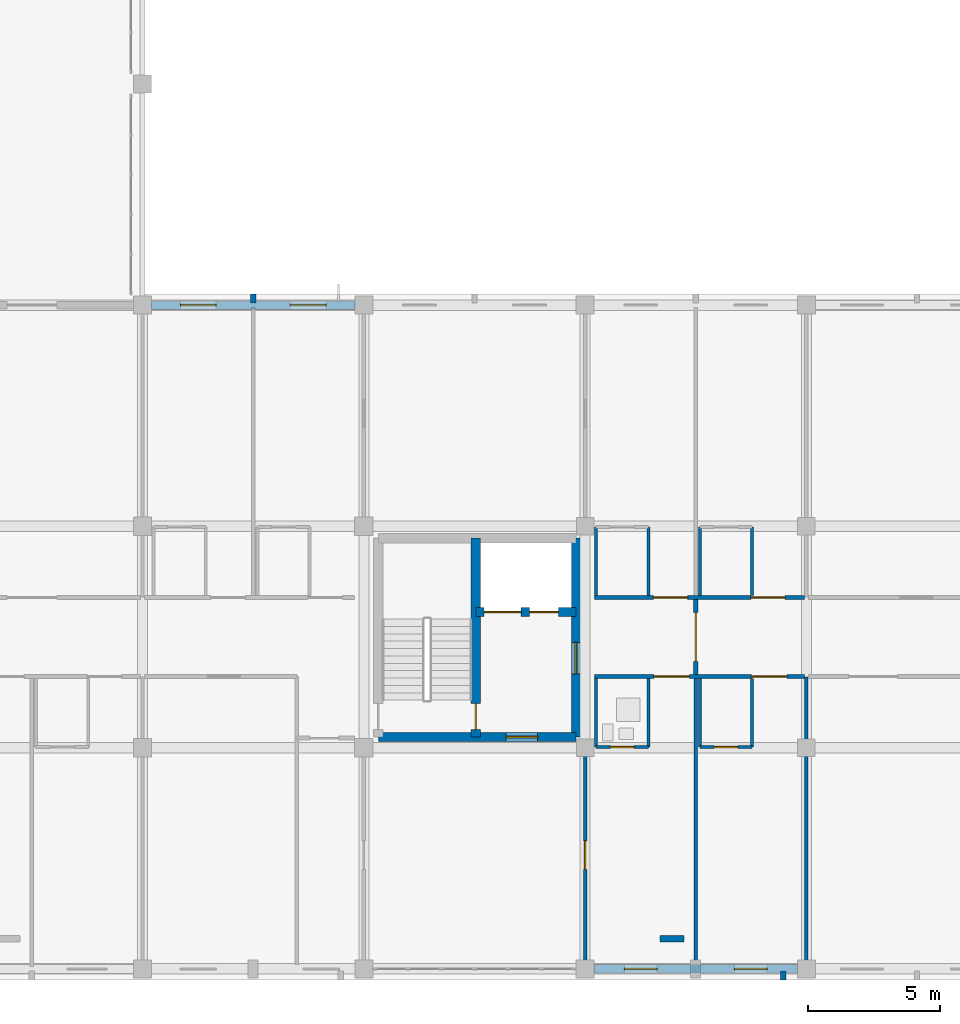
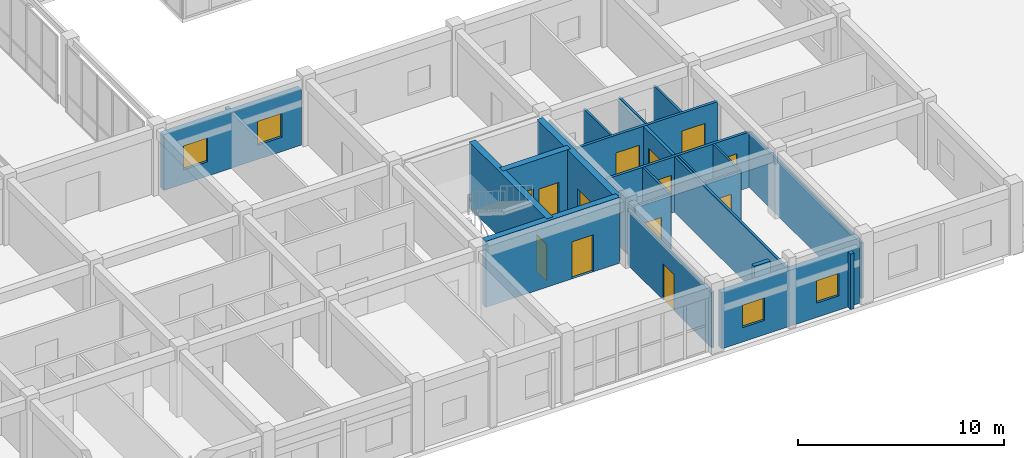
# One storey, part 112 of 140: 25 walls, 13 doors, 4 windows, 17 openings.
"""IFC4 building model written with IfcOpenShell, lengths in metres."""

import ifcopenshell
import ifcopenshell.guid

model = None  # the IFC model being written
_history = None  # IfcOwnerHistory: only IFC2X3 demands one
_inside = {}  # id of a spatial element -> (the spatial element, [elements in it])
_under = {}  # id of a project, library or spatial element -> (it, [spatial elements below it])
_declared = {}  # id of a project -> (the project, [libraries it declares])
_typed = {}  # id of a type object -> (the type object, [elements of that type])
_made_of = {}  # id of a material, layer set ... -> (it, [elements and type objects made of it])


def new_model(schema):
    """Start an empty IFC model of exactly this schema.

    Asked for "IFC4X3", IfcOpenShell would pick the latest addendum, in which some entities
    have other attributes; the version numbers below select the first issue.
    IFC2X3 requires an IfcOwnerHistory on every rooted entity: one is made here for all.
    """
    global model, _history
    if schema == "IFC4X3":
        model = ifcopenshell.file(schema_version=(4, 3, 0, 0))
    else:
        model = ifcopenshell.file(schema=schema)
    _inside.clear()
    _under.clear()
    _declared.clear()
    _typed.clear()
    _made_of.clear()
    _history = None
    if model.schema == "IFC2X3":
        org = make("IfcOrganization", Name="unknown")
        user = make(
            "IfcPersonAndOrganization",
            ThePerson=make("IfcPerson", FamilyName="unknown"),
            TheOrganization=org,
        )
        app = make(
            "IfcApplication",
            ApplicationDeveloper=org,
            Version="unknown",
            ApplicationFullName="unknown",
            ApplicationIdentifier="unknown",
        )
        _history = make(
            "IfcOwnerHistory",
            OwningUser=user,
            OwningApplication=app,
            ChangeAction="ADDED",
            CreationDate=0,
        )
    return model


def make(cls, **values):
    """One entity of the class cls with the attributes given. An attribute that is None is left unset."""
    return model.create_entity(
        cls, **{name: value for name, value in values.items() if value is not None}
    )


def rooted(cls, **values):
    """An entity with a GlobalId (a new one), such as an element, a storey or a relation."""
    return make(cls, GlobalId=ifcopenshell.guid.new(), OwnerHistory=_history, **values)


def si_unit(unit_type, name, prefix=None):
    """IfcSIUnit, for example si_unit("LENGTHUNIT", "METRE", prefix="MILLI")."""
    return make("IfcSIUnit", UnitType=unit_type, Prefix=prefix, Name=name)


def assignment(units):
    """IfcUnitAssignment: the units of a project."""
    return None if units is None else make("IfcUnitAssignment", Units=units)


def point(xyz):
    """IfcCartesianPoint."""
    return None if xyz is None else make("IfcCartesianPoint", Coordinates=xyz)


def direction(xyz):
    """IfcDirection."""
    return None if xyz is None else make("IfcDirection", DirectionRatios=xyz)


def frame(location, z_axis=None, x_axis=None):
    """IfcAxis2Placement3D, a coordinate frame: its origin and axes. An axis left out is left unset."""
    return make(
        "IfcAxis2Placement3D",
        Location=point(location),
        Axis=direction(z_axis),
        RefDirection=direction(x_axis),
    )


def frame_2d(location, x_axis=None):
    """IfcAxis2Placement2D, a coordinate frame in the plane: its origin and x axis."""
    return make(
        "IfcAxis2Placement2D", Location=point(location), RefDirection=direction(x_axis)
    )


def origin():
    """The frame at (0, 0, 0) with its axes left unset."""
    return frame((0.0, 0.0, 0.0))


def place(relative_to, where):
    """IfcLocalPlacement: puts the frame where relative to a parent placement (None: the world)."""
    return make(
        "IfcLocalPlacement", PlacementRelTo=relative_to, RelativePlacement=where
    )


def context(
    kind, dimensions, precision=None, world=None, true_north=None, identifier=None
):
    """IfcGeometricRepresentationContext, for example the 3D "Model" context."""
    return make(
        "IfcGeometricRepresentationContext",
        ContextIdentifier=identifier,
        ContextType=kind,
        CoordinateSpaceDimension=dimensions,
        Precision=precision,
        WorldCoordinateSystem=world,
        TrueNorth=true_north,
    )


def subcontext(parent, identifier, kind, view, scale=None):
    """IfcGeometricRepresentationSubContext, for example "Body" below "Model"."""
    return make(
        "IfcGeometricRepresentationSubContext",
        ContextIdentifier=identifier,
        ContextType=kind,
        ParentContext=parent,
        TargetScale=scale,
        TargetView=view,
    )


def project(units=None, contexts=None):
    """IfcProject with its units and contexts."""
    return rooted(
        "IfcProject",
        Name="project",
        RepresentationContexts=contexts,
        UnitsInContext=assignment(units),
    )


def spatial(cls, under=None, at=None, **own):
    """A site, building, storey or space (cls), placed at a placement, below another one or the project."""
    s = rooted(cls, ObjectPlacement=at, **own)
    if under is not None:
        _under.setdefault(under.id(), (under, []))[1].append(s)
    return s


def profile(cls, at=None, kind="AREA", **sizes):
    """A parametric profile (cls). Its sizes go by their IFC names, for example OverallWidth=200.0."""
    return make(cls, ProfileType=kind, Position=at, **sizes)


def rectangle(**sizes):
    """IfcRectangleProfileDef."""
    return profile("IfcRectangleProfileDef", **sizes)


def extrude(swept, where, along, depth):
    """IfcExtrudedAreaSolid: the profile swept, set in the frame where, extruded along a direction by depth."""
    return make(
        "IfcExtrudedAreaSolid",
        SweptArea=swept,
        Position=where,
        ExtrudedDirection=direction(along),
        Depth=depth,
    )


def shape(context_of_items, identifier, shape_type, items):
    """IfcShapeRepresentation: the items that make up one representation, for example the "Body"."""
    return make(
        "IfcShapeRepresentation",
        ContextOfItems=context_of_items,
        RepresentationIdentifier=identifier,
        RepresentationType=shape_type,
        Items=items,
    )


def material(Name=None, Category=None):
    """IfcMaterial."""
    return make("IfcMaterial", Name=Name, Category=Category)


def layer(
    of_material, thickness, ventilated=None, Name=None, Category=None, Priority=None
):
    """IfcMaterialLayer: one layer of a wall or slab, of a material (None: an air gap)."""
    return make(
        "IfcMaterialLayer",
        Material=of_material,
        LayerThickness=thickness,
        IsVentilated=ventilated,
        Name=Name,
        Category=Category,
        Priority=Priority,
    )


def layer_set(layers, Name=None):
    """IfcMaterialLayerSet."""
    return make("IfcMaterialLayerSet", MaterialLayers=layers, LayerSetName=Name)


def made_of(thing, what):
    """Note that an element or type object is made of a material, layer set ...; save() writes the relation."""
    if what is not None:
        _made_of.setdefault(what.id(), (what, []))[1].append(thing)
    return thing


def type_object(cls, material=None, **own):
    """A type object (cls), such as IfcWallType, which elements share."""
    return made_of(rooted(cls, **own), material)


def element(
    cls,
    number,
    at=None,
    inside=None,
    cuts=None,
    type_object=None,
    material=None,
    context=None,
    identifier="Body",
    shape_type=None,
    held_by="IfcProductDefinitionShape",
    body=None,
    shapes=None,
    **own,
):
    """One element of the class cls, such as IfcWall. Its Tag is "e" and its number.

    at: its placement. inside: the storey or other place that contains it. cuts: it is an
    opening in that element (IfcRelVoidsElement). A single representation is given by context,
    identifier, shape_type and body (its items); several are given by shapes. held_by: the class
    of the entity that holds the representations. save() writes the other relations.
    """
    e = rooted(cls, Tag="e%d" % number, ObjectPlacement=at, **own)
    if body is not None:
        shapes = [shape(context, identifier, shape_type, body)]
    if shapes is not None:
        e.Representation = make(held_by, Representations=shapes)
    if inside is not None:
        _inside.setdefault(inside.id(), (inside, []))[1].append(e)
    if cuts is not None:
        rooted(
            "IfcRelVoidsElement", RelatingBuildingElement=cuts, RelatedOpeningElement=e
        )
    if type_object is not None:
        _typed.setdefault(type_object.id(), (type_object, []))[1].append(e)
    return made_of(e, material)


def fill(opening, filler):
    """IfcRelFillsElement: the door or window that sits in an opening."""
    return rooted(
        "IfcRelFillsElement",
        RelatingOpeningElement=opening,
        RelatedBuildingElement=filler,
    )


def aggregate(whole, parts):
    """IfcRelAggregates: a whole, such as a stair, and the parts it consists of."""
    return rooted("IfcRelAggregates", RelatingObject=whole, RelatedObjects=parts)


def save(model, path):
    """Write the relations noted so far, then the file.

    IfcRelAggregates (storeys below a building ...), IfcRelContainedInSpatialStructure (elements
    in a storey), IfcRelDefinesByType, IfcRelAssociatesMaterial and IfcRelDeclares: one each for
    every whole, place, type object, material and project.
    """
    for whole, parts in _under.values():
        aggregate(whole, parts)
    for where, things in _inside.values():
        rooted(
            "IfcRelContainedInSpatialStructure",
            RelatedElements=things,
            RelatingStructure=where,
        )
    for kind, things in _typed.values():
        rooted("IfcRelDefinesByType", RelatedObjects=things, RelatingType=kind)
    for what, things in _made_of.values():
        rooted("IfcRelAssociatesMaterial", RelatedObjects=things, RelatingMaterial=what)
    for by, libraries in _declared.values():
        rooted("IfcRelDeclares", RelatingContext=by, RelatedDefinitions=libraries)
    model.write(path)


model = new_model("IFC4")

# Units and contexts
model_context = context("Model", 3, precision=1e-05, world=origin(), true_north=direction((0.0, 1.0)))
body_context = subcontext(model_context, "Body", "Model", "MODEL_VIEW")
ifc_project = project(units=[si_unit("LENGTHUNIT", "METRE"), si_unit("AREAUNIT", "SQUARE_METRE"), si_unit("VOLUMEUNIT", "CUBIC_METRE"), si_unit("PLANEANGLEUNIT", "RADIAN"), si_unit("MASSUNIT", "GRAM", prefix="KILO")], contexts=[model_context])

# Site, building, storey
site_placement = place(None, origin())
site = spatial("IfcSite", under=ifc_project, at=site_placement, CompositionType="ELEMENT")
building_placement = place(site_placement, origin())
building = spatial("IfcBuilding", under=site, at=building_placement, Name="Trelvath General Hospital", CompositionType="ELEMENT")
storey_placement = place(building_placement, frame((0.0, 0.0, 16.199951171875)))
storey = spatial("IfcBuildingStorey", under=building, at=storey_placement, Name="L04", CompositionType="ELEMENT", Elevation=16.199951171875)

# Walls
ifc_material_1 = material(Name="Precast concrete C40/50", Category="concrete")
ifc_layer_1 = layer(ifc_material_1, 0.199951171875)
ifc_layer_set_1 = layer_set([ifc_layer_1], Name="Precast concrete C40/50")
wall_type_1 = type_object("IfcWallType", Name="BriseSoleilRib 200", PredefinedType="ELEMENTEDWALL", material=ifc_layer_set_1)
for number, where, z_axis, x_axis, name in (
    (1, (88.199951171875, 25.27490234375, 0.0), (0.0, 0.0, 1.0), (0.0, 1.0, 0.0), "Precast Concrete Brise-Soleil Rib Fin L04-337"),
    (2, (108.323974609375, -0.074951171875, 0.0), (0.0, 0.0, 1.0), (0.0, -1.0, 0.0), "Precast Concrete Brise-Soleil Rib Fin L04-342"),
):
    element("IfcWall", number, at=place(storey_placement, frame(where, z_axis=z_axis, x_axis=x_axis)), inside=storey, type_object=wall_type_1, Name=name, PredefinedType="ELEMENTEDWALL", context=body_context, shape_type="SweptSolid", body=[
        extrude(rectangle(XDim=0.340087890625, YDim=0.199951171875, at=frame_2d((0.169921875, 0.0))), origin(), (0.0, 0.0, 1.0), 3.300048828125),
    ])

# Wall, openings, doors
ifc_material_2 = material(Name="Gypsum acoustic steel-stud partition", Category="steel")
ifc_layer_2 = layer(ifc_material_2, 0.14990234375)
ifc_layer_set_2 = layer_set([ifc_layer_2], Name="Gypsum acoustic steel-stud partition")
wall_type_2 = type_object("IfcWallType", Name="ClinicalPartition 150", PredefinedType="PARTITIONING", material=ifc_layer_set_2)
wall_1_placement = place(storey_placement, frame((101.159912109375, 11.10009765625, 0.0), z_axis=(0.0, 0.0, 1.0), x_axis=(1.0, 0.0, 0.0)))
wall_1 = element("IfcWall", 3, at=wall_1_placement, inside=storey, type_object=wall_type_2, Name="Corridor Partition L04-1523", PredefinedType="PARTITIONING", context=body_context, shape_type="SweptSolid", body=[
    extrude(rectangle(XDim=7.960205078125, YDim=0.14990234375, at=frame_2d((3.97998046875, 0.0))), origin(), (0.0, 0.0, 1.0), 3.300048828125),
])
opening_1_placement = place(wall_1_placement, frame((2.25, 0.0, 0.0)))
opening_1 = element("IfcOpeningElement", 4, at=opening_1_placement, cuts=wall_1, Name="Opening D-4-1051", PredefinedType="OPENING", context=body_context, shape_type="SweptSolid", body=[
    extrude(rectangle(XDim=1.35009765625, YDim=2.25, at=frame_2d((0.675048828125, 1.125))), frame((0.0, 0.0849609375, 0.0), z_axis=(0.0, -1.0, 0.0), x_axis=(1.0, 0.0, 0.0)), (0.0, 0.0, 1.0), 0.169921875),
])
opening_2_placement = place(wall_1_placement, frame((5.949951171875, 0.0, 0.0)))
opening_2 = element("IfcOpeningElement", 5, at=opening_2_placement, cuts=wall_1, Name="Opening D-4-1052", PredefinedType="OPENING", context=body_context, shape_type="SweptSolid", body=[
    extrude(rectangle(XDim=1.35009765625, YDim=2.25, at=frame_2d((0.675048828125, 1.125))), frame((0.0, 0.0849609375, 0.0), z_axis=(0.0, -1.0, 0.0), x_axis=(1.0, 0.0, 0.0)), (0.0, 0.0, 1.0), 0.169921875),
])
ifc_material_3 = material(Name="Airtight isolation bed door")
door_type_1 = type_object("IfcDoorType", Name="Door PatientIso 1350x2250", OperationType="NOTDEFINED", PredefinedType="DOOR", material=ifc_material_3)
door_1_placement = place(opening_1_placement, origin())
door_1 = element("IfcDoor", 6, at=door_1_placement, inside=storey, type_object=door_type_1, Name="Patient Room Door L04-1051", OperationType="SINGLE_SWING_RIGHT", OverallHeight=2.25, OverallWidth=1.35009765625, PredefinedType="DOOR", context=body_context, shape_type="SweptSolid", body=[
    extrude(rectangle(XDim=1.35009765625, YDim=2.25, at=frame_2d((0.675048828125, 1.125))), frame((0.0, 0.02490234375, 0.0), z_axis=(0.0, -1.0, 0.0), x_axis=(1.0, 0.0, 0.0)), (0.0, 0.0, 1.0), 0.050048828125),
])
fill(opening_1, door_1)
door_2_placement = place(opening_2_placement, origin())
door_2 = element("IfcDoor", 7, at=door_2_placement, inside=storey, type_object=door_type_1, Name="Patient Room Door L04-1052", OperationType="SINGLE_SWING_LEFT", OverallHeight=2.25, OverallWidth=1.35009765625, PredefinedType="DOOR", context=body_context, shape_type="SweptSolid", body=[
    extrude(rectangle(XDim=1.35009765625, YDim=2.25, at=frame_2d((0.675048828125, 1.125))), frame((0.0, 0.02490234375, 0.0), z_axis=(0.0, -1.0, 0.0), x_axis=(1.0, 0.0, 0.0)), (0.0, 0.0, 1.0), 0.050048828125),
])
fill(opening_2, door_2)

wall_2_placement = place(storey_placement, frame((109.1201171875, 14.10009765625, 0.0), z_axis=(0.0, 0.0, 1.0), x_axis=(-1.0, 0.0, 0.0)))
wall_2 = element("IfcWall", 8, at=wall_2_placement, inside=storey, type_object=wall_type_2, Name="Corridor Partition N L04-1532", PredefinedType="PARTITIONING", context=body_context, shape_type="SweptSolid", body=[
    extrude(rectangle(XDim=7.960205078125, YDim=0.14990234375, at=frame_2d((3.97998046875, 0.0))), origin(), (0.0, 0.0, 1.0), 3.300048828125),
])
opening_3_placement = place(wall_2_placement, frame((0.72998046875, 0.0, 0.0)))
opening_3 = element("IfcOpeningElement", 9, at=opening_3_placement, cuts=wall_2, Name="Opening D-4-1055", PredefinedType="OPENING", context=body_context, shape_type="SweptSolid", body=[
    extrude(rectangle(XDim=1.300048828125, YDim=2.25, at=frame_2d((0.64990234375, 1.125))), frame((0.0, 0.0849609375, 0.0), z_axis=(0.0, -1.0, 0.0), x_axis=(1.0, 0.0, 0.0)), (0.0, 0.0, 1.0), 0.169921875),
])
opening_4_placement = place(wall_2_placement, frame((4.429931640625, 0.0, 0.0)))
opening_4 = element("IfcOpeningElement", 10, at=opening_4_placement, cuts=wall_2, Name="Opening D-4-1056", PredefinedType="OPENING", context=body_context, shape_type="SweptSolid", body=[
    extrude(rectangle(XDim=1.300048828125, YDim=2.25, at=frame_2d((0.64990234375, 1.125))), frame((0.0, 0.0849609375, 0.0), z_axis=(0.0, -1.0, 0.0), x_axis=(1.0, 0.0, 0.0)), (0.0, 0.0, 1.0), 0.169921875),
])
ifc_material_4 = material(Name="Hospital bed-leaf timber door", Category="wood")
door_type_2 = type_object("IfcDoorType", Name="Door PatientBed 1300x2250", OperationType="NOTDEFINED", PredefinedType="DOOR", material=ifc_material_4)
door_3_placement = place(opening_3_placement, origin())
door_3 = element("IfcDoor", 11, at=door_3_placement, inside=storey, type_object=door_type_2, Name="Patient Room Door N L04-1055", OperationType="SINGLE_SWING_RIGHT", OverallHeight=2.25, OverallWidth=1.300048828125, PredefinedType="DOOR", context=body_context, shape_type="SweptSolid", body=[
    extrude(rectangle(XDim=1.300048828125, YDim=2.25, at=frame_2d((0.64990234375, 1.125))), frame((0.0, 0.02490234375, 0.0), z_axis=(0.0, -1.0, 0.0), x_axis=(1.0, 0.0, 0.0)), (0.0, 0.0, 1.0), 0.050048828125),
])
fill(opening_3, door_3)
door_4_placement = place(opening_4_placement, origin())
door_4 = element("IfcDoor", 12, at=door_4_placement, inside=storey, type_object=door_type_2, Name="Patient Room Door N L04-1056", OperationType="SINGLE_SWING_RIGHT", OverallHeight=2.25, OverallWidth=1.300048828125, PredefinedType="DOOR", context=body_context, shape_type="SweptSolid", body=[
    extrude(rectangle(XDim=1.300048828125, YDim=2.25, at=frame_2d((0.64990234375, 1.125))), frame((0.0, 0.02490234375, 0.0), z_axis=(0.0, -1.0, 0.0), x_axis=(1.0, 0.0, 0.0)), (0.0, 0.0, 1.0), 0.050048828125),
])
fill(opening_4, door_4)

# Wall, opening, door
ifc_material_5 = material(Name="Concrete C40/50", Category="concrete")
ifc_layer_3 = layer(ifc_material_5, 0.35009765625)
ifc_layer_set_3 = layer_set([ifc_layer_3], Name="Concrete C40/50")
wall_type_3 = type_object("IfcWallType", Name="CoreShearWall 350", PredefinedType="SHEAR", material=ifc_layer_set_3)
wall_3_placement = place(storey_placement, frame((92.949951171875, 8.800048828125, 0.0), z_axis=(0.0, 0.0, 1.0), x_axis=(1.0, 0.0, 0.0)))
wall_3 = element("IfcWall", 13, at=wall_3_placement, inside=storey, type_object=wall_type_3, Name="Core Shear Wall C5 S L04", PredefinedType="SHEAR", context=body_context, shape_type="SweptSolid", body=[
    extrude(rectangle(XDim=7.5, YDim=0.35009765625, at=frame_2d((3.75, 0.0))), origin(), (0.0, 0.0, 1.0), 3.920166015625),
])
opening_5_placement = place(wall_3_placement, frame((4.85009765625, 0.0, 0.0)))
opening_5 = element("IfcOpeningElement", 14, at=opening_5_placement, cuts=wall_3, Name="Opening FD-LS54", PredefinedType="OPENING", context=body_context, shape_type="SweptSolid", body=[
    extrude(rectangle(XDim=1.199951171875, YDim=2.199951171875, at=frame_2d((0.60009765625, 1.10009765625))), frame((0.0, 0.18505859375, 0.0), z_axis=(0.0, -1.0, 0.0), x_axis=(1.0, 0.0, 0.0)), (0.0, 0.0, 1.0), 0.3701171875),
])
ifc_material_6 = material(Name="Fire-rated steel door", Category="steel")
door_type_3 = type_object("IfcDoorType", Name="Door FireLobby 1200x2200", OperationType="NOTDEFINED", PredefinedType="DOOR", material=ifc_material_6)
door_5_placement = place(opening_5_placement, origin())
door_5 = element("IfcDoor", 15, at=door_5_placement, inside=storey, type_object=door_type_3, Name="Fire Lobby South Door C5 L04", OperationType="SINGLE_SWING_LEFT", OverallHeight=2.199951171875, OverallWidth=1.199951171875, PredefinedType="DOOR", context=body_context, shape_type="SweptSolid", body=[
    extrude(rectangle(XDim=1.199951171875, YDim=2.199951171875, at=frame_2d((0.60009765625, 1.10009765625))), frame((0.0, 0.02490234375, 0.0), z_axis=(0.0, -1.0, 0.0), x_axis=(1.0, 0.0, 0.0)), (0.0, 0.0, 1.0), 0.050048828125),
])
fill(opening_5, door_5)

wall_4_placement = place(storey_placement, frame((100.449951171875, 8.800048828125, 0.0), z_axis=(0.0, 0.0, 1.0), x_axis=(0.0, 1.0, 0.0)))
wall_4 = element("IfcWall", 16, at=wall_4_placement, inside=storey, type_object=wall_type_3, Name="Core Shear Wall C5 E L04", PredefinedType="SHEAR", context=body_context, shape_type="SweptSolid", body=[
    extrude(rectangle(XDim=7.550048828125, YDim=0.35009765625, at=frame_2d((3.77490234375, 0.0))), origin(), (0.0, 0.0, 1.0), 3.920166015625),
])
opening_6_placement = place(wall_4_placement, frame((2.39990234375, 0.0, 0.0)))
opening_6 = element("IfcOpeningElement", 17, at=opening_6_placement, cuts=wall_4, Name="Opening FD-LE54", PredefinedType="OPENING", context=body_context, shape_type="SweptSolid", body=[
    extrude(rectangle(XDim=1.199951171875, YDim=2.199951171875, at=frame_2d((0.60009765625, 1.10009765625))), frame((0.0, 0.18505859375, 0.0), z_axis=(0.0, -1.0, 0.0), x_axis=(1.0, 0.0, 0.0)), (0.0, 0.0, 1.0), 0.3701171875),
])
door_6_placement = place(opening_6_placement, origin())
door_6 = element("IfcDoor", 18, at=door_6_placement, inside=storey, type_object=door_type_3, Name="Fire Lobby East Corridor Door C5 L04", OperationType="SINGLE_SWING_RIGHT", OverallHeight=2.199951171875, OverallWidth=1.199951171875, PredefinedType="DOOR", context=body_context, shape_type="SweptSolid", body=[
    extrude(rectangle(XDim=1.199951171875, YDim=2.199951171875, at=frame_2d((0.60009765625, 1.10009765625))), frame((0.0, 0.02490234375, 0.0), z_axis=(0.0, -1.0, 0.0), x_axis=(1.0, 0.0, 0.0)), (0.0, 0.0, 1.0), 0.050048828125),
])
fill(opening_6, door_6)

wall_5_placement = place(storey_placement, frame((96.64990234375, 8.800048828125, 0.0), z_axis=(0.0, 0.0, 1.0), x_axis=(0.0, 1.0, 0.0)))
wall_5 = element("IfcWall", 19, at=wall_5_placement, inside=storey, type_object=wall_type_3, Name="Core Shear Wall C5 SPINE L04", PredefinedType="SHEAR", context=body_context, shape_type="SweptSolid", body=[
    extrude(rectangle(XDim=7.550048828125, YDim=0.35009765625, at=frame_2d((3.77490234375, 0.0))), origin(), (0.0, 0.0, 1.0), 3.920166015625),
])
opening_7_placement = place(wall_5_placement, frame((0.280029296875, 0.0, 0.0)))
opening_7 = element("IfcOpeningElement", 20, at=opening_7_placement, cuts=wall_5, Name="Opening FD-S54", PredefinedType="OPENING", context=body_context, shape_type="SweptSolid", body=[
    extrude(rectangle(XDim=1.0, YDim=2.14990234375, at=frame_2d((0.5, 1.074951171875))), frame((0.0, 0.18505859375, 0.0), z_axis=(0.0, -1.0, 0.0), x_axis=(1.0, 0.0, 0.0)), (0.0, 0.0, 1.0), 0.3701171875),
])
ifc_material_7 = material(Name="Fire-rated steel door", Category="steel")
door_type_4 = type_object("IfcDoorType", Name="Door FireStair 1100x2150", OperationType="NOTDEFINED", PredefinedType="DOOR", material=ifc_material_7)
door_7_placement = place(opening_7_placement, origin())
door_7 = element("IfcDoor", 21, at=door_7_placement, inside=storey, type_object=door_type_4, Name="Exit Stair Door ST5 L04", OperationType="SINGLE_SWING_LEFT", OverallHeight=2.14990234375, OverallWidth=1.0, PredefinedType="DOOR", context=body_context, shape_type="SweptSolid", body=[
    extrude(rectangle(XDim=1.0, YDim=2.14990234375, at=frame_2d((0.5, 1.074951171875))), frame((0.0, 0.02490234375, 0.0), z_axis=(0.0, -1.0, 0.0), x_axis=(1.0, 0.0, 0.0)), (0.0, 0.0, 1.0), 0.050048828125),
])
fill(opening_7, door_7)

# Wall, openings, doors
wall_6_placement = place(storey_placement, frame((96.64990234375, 13.550048828125, 0.0), z_axis=(0.0, 0.0, 1.0), x_axis=(1.0, 0.0, 0.0)))
wall_6 = element("IfcWall", 22, at=wall_6_placement, inside=storey, type_object=wall_type_3, Name="Core Shear Wall C5 SHAFT L04", PredefinedType="SHEAR", context=body_context, shape_type="SweptSolid", body=[
    extrude(rectangle(XDim=3.800048828125, YDim=0.35009765625, at=frame_2d((1.89990234375, 0.0))), origin(), (0.0, 0.0, 1.0), 3.920166015625),
])
opening_8_placement = place(wall_6_placement, frame((0.320068359375, 0.0, 0.0)))
opening_8 = element("IfcOpeningElement", 23, at=opening_8_placement, cuts=wall_6, Name="Opening LD-BD4-4", PredefinedType="OPENING", context=body_context, shape_type="SweptSolid", body=[
    extrude(rectangle(XDim=1.39990234375, YDim=2.25, at=frame_2d((0.699951171875, 1.125))), frame((0.0, 0.18505859375, 0.0), z_axis=(0.0, -1.0, 0.0), x_axis=(1.0, 0.0, 0.0)), (0.0, 0.0, 1.0), 0.3701171875),
])
opening_9_placement = place(wall_6_placement, frame((2.0400390625, 0.0, 0.0)))
opening_9 = element("IfcOpeningElement", 24, at=opening_9_placement, cuts=wall_6, Name="Opening LD-PA2-4", PredefinedType="OPENING", context=body_context, shape_type="SweptSolid", body=[
    extrude(rectangle(XDim=1.10009765625, YDim=2.14990234375, at=frame_2d((0.550048828125, 1.074951171875))), frame((0.0, 0.18505859375, 0.0), z_axis=(0.0, -1.0, 0.0), x_axis=(1.0, 0.0, 0.0)), (0.0, 0.0, 1.0), 0.3701171875),
])
ifc_material_8 = material(Name="Stainless steel stretcher lift landing door", Category="steel")
door_type_5 = type_object("IfcDoorType", Name="Door LiftBed 1400x2250", OperationType="SLIDING_TO_LEFT", PredefinedType="DOOR", material=ifc_material_8)
door_8_placement = place(opening_8_placement, origin())
door_8 = element("IfcDoor", 25, at=door_8_placement, inside=storey, type_object=door_type_5, Name="Lift Landing Sliding Door LF-BD4 L04", OperationType="SLIDING_TO_LEFT", OverallHeight=2.25, OverallWidth=1.39990234375, PredefinedType="DOOR", context=body_context, shape_type="SweptSolid", body=[
    extrude(rectangle(XDim=1.39990234375, YDim=2.25, at=frame_2d((0.699951171875, 1.125))), frame((0.0, 0.02490234375, 0.0), z_axis=(0.0, -1.0, 0.0), x_axis=(1.0, 0.0, 0.0)), (0.0, 0.0, 1.0), 0.050048828125),
])
fill(opening_8, door_8)
ifc_material_9 = material(Name="Stainless steel lift landing sliding door", Category="steel")
door_type_6 = type_object("IfcDoorType", Name="Door LiftLanding 1100x2150", OperationType="SLIDING_TO_LEFT", PredefinedType="DOOR", material=ifc_material_9)
door_9_placement = place(opening_9_placement, origin())
door_9 = element("IfcDoor", 26, at=door_9_placement, inside=storey, type_object=door_type_6, Name="Lift Landing Sliding Door LF-PA2 L04", OperationType="SLIDING_TO_LEFT", OverallHeight=2.14990234375, OverallWidth=1.10009765625, PredefinedType="DOOR", context=body_context, shape_type="SweptSolid", body=[
    extrude(rectangle(XDim=1.10009765625, YDim=2.14990234375, at=frame_2d((0.550048828125, 1.074951171875))), frame((0.0, 0.02490234375, 0.0), z_axis=(0.0, -1.0, 0.0), x_axis=(1.0, 0.0, 0.0)), (0.0, 0.0, 1.0), 0.050048828125),
])
fill(opening_9, door_9)

# Walls
ifc_material_10 = material(Name="Moisture-resistant tile partition")
ifc_layer_4 = layer(ifc_material_10, 0.110107421875)
ifc_layer_set_4 = layer_set([ifc_layer_4], Name="Moisture-resistant tile partition")
wall_type_4 = type_object("IfcWallType", Name="EnSuiteWetWall 110", PredefinedType="PARTITIONING", material=ifc_layer_set_4)
for number, where, z_axis, x_axis, name in (
    (27, (101.219970703125, 8.419921875, 0.0), (0.0, 0.0, 1.0), (0.0, 1.0, 0.0), "En-Suite W Wall L04-1525"),
    (28, (103.199951171875, 8.419921875, 0.0), (0.0, 0.0, 1.0), (0.0, 1.0, 0.0), "En-Suite E Wall L04-1526"),
):
    element("IfcWall", number, at=place(storey_placement, frame(where, z_axis=z_axis, x_axis=x_axis)), inside=storey, type_object=wall_type_4, Name=name, PredefinedType="PARTITIONING", context=body_context, shape_type="SweptSolid", body=[
        extrude(rectangle(XDim=2.610107421875, YDim=0.110107421875, at=frame_2d((1.30517578125, 0.0))), origin(), (0.0, 0.0, 1.0), 3.300048828125),
    ])

# Wall, opening, door
wall_7_placement = place(storey_placement, frame((101.219970703125, 8.419921875, 0.0), z_axis=(0.0, 0.0, 1.0), x_axis=(1.0, 0.0, 0.0)))
wall_7 = element("IfcWall", 29, at=wall_7_placement, inside=storey, type_object=wall_type_4, Name="En-Suite Bathroom Partition L04-1527", PredefinedType="PARTITIONING", context=body_context, shape_type="SweptSolid", body=[
    extrude(rectangle(XDim=1.97998046875, YDim=0.110107421875, at=frame_2d((0.989990234375, 0.0))), origin(), (0.0, 0.0, 1.0), 3.300048828125),
])
opening_10_placement = place(wall_7_placement, frame((0.5400390625, 0.0, 0.0)))
opening_10 = element("IfcOpeningElement", 30, at=opening_10_placement, cuts=wall_7, Name="Opening D-4-1053", PredefinedType="OPENING", context=body_context, shape_type="SweptSolid", body=[
    extrude(rectangle(XDim=0.89990234375, YDim=2.10009765625, at=frame_2d((0.449951171875, 1.050048828125))), frame((0.0, 0.06494140625, 0.0), z_axis=(0.0, -1.0, 0.0), x_axis=(1.0, 0.0, 0.0)), (0.0, 0.0, 1.0), 0.130126953125),
])
ifc_material_11 = material(Name="Moisture-sealed timber leaf", Category="wood")
door_type_7 = type_object("IfcDoorType", Name="Door EnSuite 900x2100", OperationType="NOTDEFINED", PredefinedType="DOOR", material=ifc_material_11)
door_10_placement = place(opening_10_placement, origin())
door_10 = element("IfcDoor", 31, at=door_10_placement, inside=storey, type_object=door_type_7, Name="En-Suite Bathroom Door L04-1053", OperationType="SINGLE_SWING_RIGHT", OverallHeight=2.10009765625, OverallWidth=0.89990234375, PredefinedType="DOOR", context=body_context, shape_type="SweptSolid", body=[
    extrude(rectangle(XDim=0.89990234375, YDim=2.10009765625, at=frame_2d((0.449951171875, 1.050048828125))), frame((0.0, 0.02490234375, 0.0), z_axis=(0.0, -1.0, 0.0), x_axis=(1.0, 0.0, 0.0)), (0.0, 0.0, 1.0), 0.050048828125),
])
fill(opening_10, door_10)

# Walls
for number, where, z_axis, x_axis, name in (
    (32, (105.159912109375, 8.419921875, 0.0), (0.0, 0.0, 1.0), (0.0, 1.0, 0.0), "En-Suite W Wall L04-1528"),
    (33, (107.139892578125, 8.419921875, 0.0), (0.0, 0.0, 1.0), (0.0, 1.0, 0.0), "En-Suite E Wall L04-1529"),
):
    element("IfcWall", number, at=place(storey_placement, frame(where, z_axis=z_axis, x_axis=x_axis)), inside=storey, type_object=wall_type_4, Name=name, PredefinedType="PARTITIONING", context=body_context, shape_type="SweptSolid", body=[
        extrude(rectangle(XDim=2.610107421875, YDim=0.110107421875, at=frame_2d((1.30517578125, 0.0))), origin(), (0.0, 0.0, 1.0), 3.300048828125),
    ])

# Wall, opening, door
wall_8_placement = place(storey_placement, frame((105.159912109375, 8.419921875, 0.0), z_axis=(0.0, 0.0, 1.0), x_axis=(1.0, 0.0, 0.0)))
wall_8 = element("IfcWall", 34, at=wall_8_placement, inside=storey, type_object=wall_type_4, Name="En-Suite Bathroom Partition L04-1530", PredefinedType="PARTITIONING", context=body_context, shape_type="SweptSolid", body=[
    extrude(rectangle(XDim=1.97998046875, YDim=0.110107421875, at=frame_2d((0.989990234375, 0.0))), origin(), (0.0, 0.0, 1.0), 3.300048828125),
])
opening_11_placement = place(wall_8_placement, frame((0.5400390625, 0.0, 0.0)))
opening_11 = element("IfcOpeningElement", 35, at=opening_11_placement, cuts=wall_8, Name="Opening D-4-1054", PredefinedType="OPENING", context=body_context, shape_type="SweptSolid", body=[
    extrude(rectangle(XDim=0.89990234375, YDim=2.10009765625, at=frame_2d((0.449951171875, 1.050048828125))), frame((0.0, 0.06494140625, 0.0), z_axis=(0.0, -1.0, 0.0), x_axis=(1.0, 0.0, 0.0)), (0.0, 0.0, 1.0), 0.130126953125),
])
door_11_placement = place(opening_11_placement, origin())
door_11 = element("IfcDoor", 36, at=door_11_placement, inside=storey, type_object=door_type_7, Name="En-Suite Bathroom Door L04-1054", OperationType="SINGLE_SWING_LEFT", OverallHeight=2.10009765625, OverallWidth=0.89990234375, PredefinedType="DOOR", context=body_context, shape_type="SweptSolid", body=[
    extrude(rectangle(XDim=0.89990234375, YDim=2.10009765625, at=frame_2d((0.449951171875, 1.050048828125))), frame((0.0, 0.02490234375, 0.0), z_axis=(0.0, -1.0, 0.0), x_axis=(1.0, 0.0, 0.0)), (0.0, 0.0, 1.0), 0.050048828125),
])
fill(opening_11, door_11)

# Walls
for number, where, z_axis, x_axis, name in (
    (37, (101.219970703125, 14.169921875, 0.0), (0.0, 0.0, 1.0), (0.0, 1.0, 0.0), "En-Suite W Wall N L04-1534"),
    (38, (103.199951171875, 14.169921875, 0.0), (0.0, 0.0, 1.0), (0.0, 1.0, 0.0), "En-Suite E Wall N L04-1535"),
    (39, (105.159912109375, 14.169921875, 0.0), (0.0, 0.0, 1.0), (0.0, 1.0, 0.0), "En-Suite W Wall N L04-1537"),
    (40, (107.139892578125, 14.169921875, 0.0), (0.0, 0.0, 1.0), (0.0, 1.0, 0.0), "En-Suite E Wall N L04-1538"),
):
    element("IfcWall", number, at=place(storey_placement, frame(where, z_axis=z_axis, x_axis=x_axis)), inside=storey, type_object=wall_type_4, Name=name, PredefinedType="PARTITIONING", context=body_context, shape_type="SweptSolid", body=[
        extrude(rectangle(XDim=2.610107421875, YDim=0.110107421875, at=frame_2d((1.30517578125, 0.0))), origin(), (0.0, 0.0, 1.0), 3.300048828125),
    ])

# Wall, openings, windows
ifc_material_12 = material(Name="Concrete C35/45", Category="concrete")
ifc_layer_5 = layer(ifc_material_12, 0.320068359375)
ifc_layer_set_5 = layer_set([ifc_layer_5], Name="Concrete C35/45")
wall_type_5 = type_object("IfcWallType", Name="ExtThermalWall 320", PredefinedType="SOLIDWALL", material=ifc_layer_set_5)
wall_9_placement = place(storey_placement, frame((84.3349609375, 25.199951171875, 0.0), z_axis=(0.0, 0.0, 1.0), x_axis=(1.0, 0.0, 0.0)))
wall_9 = element("IfcWall", 41, at=wall_9_placement, inside=storey, type_object=wall_type_5, Name="Exterior Concrete Wall L04-462", PredefinedType="SOLIDWALL", context=body_context, shape_type="SweptSolid", body=[
    extrude(rectangle(XDim=7.72998046875, YDim=0.320068359375, at=frame_2d((3.864990234375, 0.0))), origin(), (0.0, 0.0, 1.0), 3.320068359375),
])
opening_12_placement = place(wall_9_placement, frame((1.097900390625, 0.0, 0.85009765625)))
opening_12 = element("IfcOpeningElement", 42, at=opening_12_placement, cuts=wall_9, Name="Opening WN-4-759", PredefinedType="OPENING", context=body_context, shape_type="SweptSolid", body=[
    extrude(rectangle(XDim=1.360107421875, YDim=1.419921875, at=frame_2d((0.68017578125, 0.7099609375))), frame((0.0, 0.169921875, 0.0), z_axis=(0.0, -1.0, 0.0), x_axis=(1.0, 0.0, 0.0)), (0.0, 0.0, 1.0), 0.340087890625),
])
opening_13_placement = place(wall_9_placement, frame((5.272216796875, 0.0, 0.85009765625)))
opening_13 = element("IfcOpeningElement", 43, at=opening_13_placement, cuts=wall_9, Name="Opening WN-4-760", PredefinedType="OPENING", context=body_context, shape_type="SweptSolid", body=[
    extrude(rectangle(XDim=1.360107421875, YDim=1.419921875, at=frame_2d((0.68017578125, 0.7099609375))), frame((0.0, 0.169921875, 0.0), z_axis=(0.0, -1.0, 0.0), x_axis=(1.0, 0.0, 0.0)), (0.0, 0.0, 1.0), 0.340087890625),
])
ifc_material_13 = material(Name="Low-E laminated glass", Category="glass")
window_type_1 = type_object("IfcWindowType", Name="Window Pathology 1360x1420", PartitioningType="DOUBLE_PANEL_VERTICAL", PredefinedType="WINDOW", material=ifc_material_13)
window_1_placement = place(opening_12_placement, origin())
window_1 = element("IfcWindow", 44, at=window_1_placement, inside=storey, type_object=window_type_1, Name="Solar Reveal Window L04-759", OverallHeight=1.419921875, OverallWidth=1.360107421875, PartitioningType="SINGLE_PANEL", PredefinedType="WINDOW", context=body_context, shape_type="SweptSolid", body=[
    extrude(rectangle(XDim=1.360107421875, YDim=1.419921875, at=frame_2d((0.68017578125, 0.7099609375))), frame((0.0, 0.030029296875, 0.0), z_axis=(0.0, -1.0, 0.0), x_axis=(1.0, 0.0, 0.0)), (0.0, 0.0, 1.0), 0.06005859375),
])
fill(opening_12, window_1)
window_2_placement = place(opening_13_placement, origin())
window_2 = element("IfcWindow", 45, at=window_2_placement, inside=storey, type_object=window_type_1, Name="Solar Reveal Window L04-760", OverallHeight=1.419921875, OverallWidth=1.360107421875, PartitioningType="SINGLE_PANEL", PredefinedType="WINDOW", context=body_context, shape_type="SweptSolid", body=[
    extrude(rectangle(XDim=1.360107421875, YDim=1.419921875, at=frame_2d((0.68017578125, 0.7099609375))), frame((0.0, 0.030029296875, 0.0), z_axis=(0.0, -1.0, 0.0), x_axis=(1.0, 0.0, 0.0)), (0.0, 0.0, 1.0), 0.06005859375),
])
fill(opening_13, window_2)

wall_10_placement = place(storey_placement, frame((108.864990234375, 0.0, 0.0), z_axis=(0.0, 0.0, 1.0), x_axis=(-1.0, 0.0, 0.0)))
wall_10 = element("IfcWall", 46, at=wall_10_placement, inside=storey, type_object=wall_type_5, Name="Exterior Concrete Wall L04-470", PredefinedType="SOLIDWALL", context=body_context, shape_type="SweptSolid", body=[
    extrude(rectangle(XDim=7.72998046875, YDim=0.320068359375, at=frame_2d((3.864990234375, 0.0))), origin(), (0.0, 0.0, 1.0), 3.320068359375),
])
opening_14_placement = place(wall_10_placement, frame((1.157958984375, 0.0, 0.85009765625)))
opening_14 = element("IfcOpeningElement", 47, at=opening_14_placement, cuts=wall_10, Name="Opening WN-4-769", PredefinedType="OPENING", context=body_context, shape_type="SweptSolid", body=[
    extrude(rectangle(XDim=1.239990234375, YDim=1.340087890625, at=frame_2d((0.6201171875, 0.669921875))), frame((0.0, 0.169921875, 0.0), z_axis=(0.0, -1.0, 0.0), x_axis=(1.0, 0.0, 0.0)), (0.0, 0.0, 1.0), 0.340087890625),
])
opening_15_placement = place(wall_10_placement, frame((5.33203125, 0.0, 0.85009765625)))
opening_15 = element("IfcOpeningElement", 48, at=opening_15_placement, cuts=wall_10, Name="Opening WN-4-770", PredefinedType="OPENING", context=body_context, shape_type="SweptSolid", body=[
    extrude(rectangle(XDim=1.239990234375, YDim=1.340087890625, at=frame_2d((0.6201171875, 0.669921875))), frame((0.0, 0.169921875, 0.0), z_axis=(0.0, -1.0, 0.0), x_axis=(1.0, 0.0, 0.0)), (0.0, 0.0, 1.0), 0.340087890625),
])
ifc_material_14 = material(Name="Low-E laminated glass", Category="glass")
window_type_2 = type_object("IfcWindowType", Name="Window Pharmacy 1240x1340", PartitioningType="DOUBLE_PANEL_VERTICAL", PredefinedType="WINDOW", material=ifc_material_14)
window_3_placement = place(opening_14_placement, origin())
window_3 = element("IfcWindow", 49, at=window_3_placement, inside=storey, type_object=window_type_2, Name="Solar Reveal Window L04-769", OverallHeight=1.340087890625, OverallWidth=1.239990234375, PartitioningType="SINGLE_PANEL", PredefinedType="WINDOW", context=body_context, shape_type="SweptSolid", body=[
    extrude(rectangle(XDim=1.239990234375, YDim=1.340087890625, at=frame_2d((0.6201171875, 0.669921875))), frame((0.0, 0.030029296875, 0.0), z_axis=(0.0, -1.0, 0.0), x_axis=(1.0, 0.0, 0.0)), (0.0, 0.0, 1.0), 0.06005859375),
])
fill(opening_14, window_3)
window_4_placement = place(opening_15_placement, origin())
window_4 = element("IfcWindow", 50, at=window_4_placement, inside=storey, type_object=window_type_2, Name="Solar Reveal Window L04-770", OverallHeight=1.340087890625, OverallWidth=1.239990234375, PartitioningType="SINGLE_PANEL", PredefinedType="WINDOW", context=body_context, shape_type="SweptSolid", body=[
    extrude(rectangle(XDim=1.239990234375, YDim=1.340087890625, at=frame_2d((0.6201171875, 0.669921875))), frame((0.0, 0.030029296875, 0.0), z_axis=(0.0, -1.0, 0.0), x_axis=(1.0, 0.0, 0.0)), (0.0, 0.0, 1.0), 0.06005859375),
])
fill(opening_15, window_4)

# Wall
ifc_material_15 = material(Name="Masonry service chase blockwork", Category="masonry")
ifc_layer_6 = layer(ifc_material_15, 0.239990234375)
ifc_layer_set_6 = layer_set([ifc_layer_6], Name="Masonry service chase blockwork")
wall_type_6 = type_object("IfcWallType", Name="PlumbingChaseWall 240", PredefinedType="PLUMBINGWALL", material=ifc_layer_set_6)
wall_11_placement = place(storey_placement, frame((103.64990234375, 1.14990234375, 0.0), z_axis=(0.0, 0.0, 1.0), x_axis=(1.0, 0.0, 0.0)))
element("IfcWall", 51, at=wall_11_placement, inside=storey, type_object=wall_type_6, Name="Medical Gas Plumbing Chase L04-1531", PredefinedType="PLUMBINGWALL", context=body_context, shape_type="SweptSolid", body=[
    extrude(rectangle(XDim=0.900146484375, YDim=0.239990234375, at=frame_2d((0.4501953125, 0.0))), origin(), (0.0, 0.0, 1.0), 3.300048828125),
])

# Wall, opening, door
ifc_material_16 = material(Name="Masonry fire blockwork", Category="masonry")
ifc_layer_7 = layer(ifc_material_16, 0.179931640625)
ifc_layer_set_7 = layer_set([ifc_layer_7], Name="Masonry fire blockwork")
wall_type_7 = type_object("IfcWallType", Name="SmokeBarrierWall 180", PredefinedType="PARTITIONING", material=ifc_layer_set_7)
wall_12_placement = place(storey_placement, frame((105.0, 11.179931640625, 0.0), z_axis=(0.0, 0.0, 1.0), x_axis=(0.0, 1.0, 0.0)))
wall_12 = element("IfcWall", 52, at=wall_12_placement, inside=storey, type_object=wall_type_7, Name="Smoke Compartment Barrier L04-1540", PredefinedType="PARTITIONING", context=body_context, shape_type="SweptSolid", body=[
    extrude(rectangle(XDim=2.840087890625, YDim=0.179931640625, at=frame_2d((1.419921875, 0.0))), origin(), (0.0, 0.0, 1.0), 3.300048828125),
])
opening_16_placement = place(wall_12_placement, frame((0.4951171875, 0.0, 0.0)))
opening_16 = element("IfcOpeningElement", 53, at=opening_16_placement, cuts=wall_12, Name="Opening SD-4-1059", PredefinedType="OPENING", context=body_context, shape_type="SweptSolid", body=[
    extrude(rectangle(XDim=1.85009765625, YDim=2.300048828125, at=frame_2d((0.925048828125, 1.14990234375))), frame((0.0, 0.099853515625, 0.0), z_axis=(0.0, -1.0, 0.0), x_axis=(1.0, 0.0, 0.0)), (0.0, 0.0, 1.0), 0.199951171875),
])
ifc_material_17 = material(Name="Fire-rated steel cross-corridor pair", Category="steel")
door_type_8 = type_object("IfcDoorType", Name="Door SmokeCross 1850x2300", OperationType="DOUBLE_SWING_LEFT", PredefinedType="DOOR", material=ifc_material_17)
door_12_placement = place(opening_16_placement, origin())
door_12 = element("IfcDoor", 54, at=door_12_placement, inside=storey, type_object=door_type_8, Name="Cross-Corridor Smoke Door L04-1059", OperationType="SLIDING_TO_LEFT", OverallHeight=2.300048828125, OverallWidth=1.85009765625, PredefinedType="DOOR", context=body_context, shape_type="SweptSolid", body=[
    extrude(rectangle(XDim=1.85009765625, YDim=2.300048828125, at=frame_2d((0.925048828125, 1.14990234375))), frame((0.0, 0.02490234375, 0.0), z_axis=(0.0, -1.0, 0.0), x_axis=(1.0, 0.0, 0.0)), (0.0, 0.0, 1.0), 0.050048828125),
])
fill(opening_16, door_12)

ifc_material_18 = material(Name="Gypsum acoustic steel-stud partition", Category="steel")
ifc_layer_8 = layer(ifc_material_18, 0.1298828125)
ifc_layer_set_8 = layer_set([ifc_layer_8], Name="Gypsum acoustic steel-stud partition")
wall_type_8 = type_object("IfcWallType", Name="WardPartition 130", PredefinedType="PARTITIONING", material=ifc_layer_set_8)
wall_13_placement = place(storey_placement, frame((100.800048828125, 0.139892578125, 0.0), z_axis=(0.0, 0.0, 1.0), x_axis=(0.0, 1.0, 0.0)))
wall_13 = element("IfcWall", 55, at=wall_13_placement, inside=storey, type_object=wall_type_8, Name="Inter-Bay Ward Partition S L04-1521", PredefinedType="PARTITIONING", context=body_context, shape_type="SweptSolid", body=[
    extrude(rectangle(XDim=8.210205078125, YDim=0.1298828125, at=frame_2d((4.10498046875, 0.0))), origin(), (0.0, 0.0, 1.0), 3.300048828125),
])
opening_17_placement = place(wall_13_placement, frame((3.639892578125, 0.0, 0.0)))
opening_17 = element("IfcOpeningElement", 56, at=opening_17_placement, cuts=wall_13, Name="Opening D-4-1049", PredefinedType="OPENING", context=body_context, shape_type="SweptSolid", body=[
    extrude(rectangle(XDim=1.080078125, YDim=2.14990234375, at=frame_2d((0.5400390625, 1.074951171875))), frame((0.0, 0.074951171875, 0.0), z_axis=(0.0, -1.0, 0.0), x_axis=(1.0, 0.0, 0.0)), (0.0, 0.0, 1.0), 0.14990234375),
])
ifc_material_19 = material(Name="Acoustic hospital timber leaf", Category="wood")
door_type_9 = type_object("IfcDoorType", Name="Door CleanSupply 1080x2150", OperationType="NOTDEFINED", PredefinedType="DOOR", material=ifc_material_19)
door_13_placement = place(opening_17_placement, origin())
door_13 = element("IfcDoor", 57, at=door_13_placement, inside=storey, type_object=door_type_9, Name="Clean Supply Connecting Door L04-1049", OperationType="SINGLE_SWING_RIGHT", OverallHeight=2.14990234375, OverallWidth=1.080078125, PredefinedType="DOOR", context=body_context, shape_type="SweptSolid", body=[
    extrude(rectangle(XDim=1.080078125, YDim=2.14990234375, at=frame_2d((0.5400390625, 1.074951171875))), frame((0.0, 0.02490234375, 0.0), z_axis=(0.0, -1.0, 0.0), x_axis=(1.0, 0.0, 0.0)), (0.0, 0.0, 1.0), 0.050048828125),
])
fill(opening_17, door_13)

# Walls
wall_14_placement = place(storey_placement, frame((105.0, 0.10009765625, 0.0), z_axis=(0.0, 0.0, 1.0), x_axis=(0.0, 1.0, 0.0)))
element("IfcWall", 58, at=wall_14_placement, inside=storey, type_object=wall_type_8, Name="Room Dividing Partition S L04-1524", PredefinedType="PARTITIONING", context=body_context, shape_type="SweptSolid", body=[
    extrude(rectangle(XDim=10.929931640625, YDim=0.1298828125, at=frame_2d((5.46484375, 0.0))), origin(), (0.0, 0.0, 1.0), 3.300048828125),
])
wall_15_placement = place(storey_placement, frame((109.199951171875, 0.139892578125, 0.0), z_axis=(0.0, 0.0, 1.0), x_axis=(0.0, 1.0, 0.0)))
element("IfcWall", 59, at=wall_15_placement, inside=storey, type_object=wall_type_8, Name="Inter-Bay Ward Partition S L04-1541", PredefinedType="PARTITIONING", context=body_context, shape_type="SweptSolid", body=[
    extrude(rectangle(XDim=10.940185546875, YDim=0.1298828125, at=frame_2d((5.47021484375, 0.0))), origin(), (0.0, 0.0, 1.0), 3.300048828125),
])

save(model, "model.ifc")
